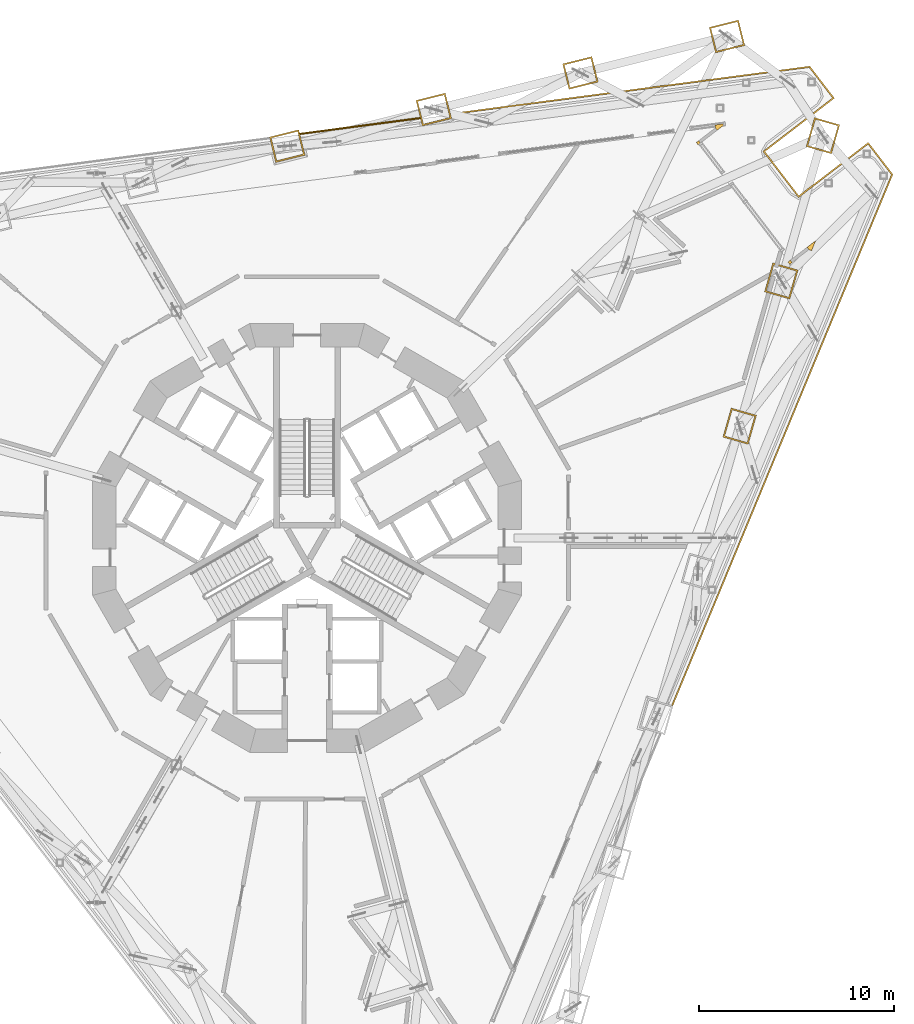
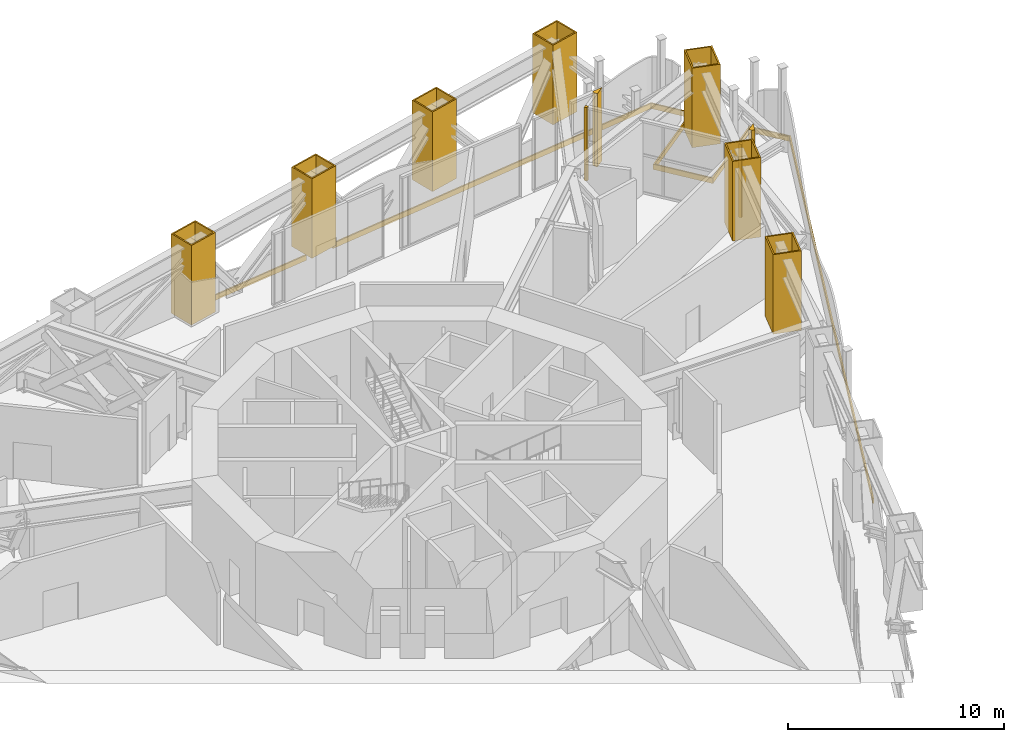
# One storey, part 31 of 31: 13 coverings.
"""IFC4 building model written with IfcOpenShell, lengths in metres."""

from ifc_helpers import new_model, si_unit, direction, frame, origin, place, context, subcontext, project, spatial, polyline, outline, extrude, material, layer, layer_set, type_object, element, save


model = new_model("IFC4")

# Units and contexts
model_context = context("Model", 3, precision=1e-05, world=origin(), true_north=direction((0.0, 1.0)))
body_context = subcontext(model_context, "Body", "Model", "MODEL_VIEW")
ifc_project = project(units=[si_unit("LENGTHUNIT", "METRE"), si_unit("AREAUNIT", "SQUARE_METRE"), si_unit("VOLUMEUNIT", "CUBIC_METRE"), si_unit("PLANEANGLEUNIT", "RADIAN"), si_unit("MASSUNIT", "GRAM", prefix="KILO")], contexts=[model_context])

# Site, building, storey
site_placement = place(None, origin())
site = spatial("IfcSite", under=ifc_project, at=site_placement, CompositionType="ELEMENT")
building_placement = place(site_placement, origin())
building = spatial("IfcBuilding", under=site, at=building_placement, Name="Trine Commons Tower", CompositionType="ELEMENT")
storey_placement = place(building_placement, frame((0.0, 0.0, 82.800048828125)))
storey = spatial("IfcBuildingStorey", under=building, at=storey_placement, Name="L20", CompositionType="ELEMENT", Elevation=82.800048828125)

# Coverings
ifc_material_1 = material(Name="Aluminium-framed insulated wall panel", Category="aluminium")
ifc_layer_1 = layer(ifc_material_1, 0.14990234375)
ifc_layer_set_1 = layer_set([ifc_layer_1], Name="Aluminium-framed insulated wall panel")
covering_type_1 = type_object("IfcCoveringType", Name="Glazing corner post, aluminium", PredefinedType="CLADDING", material=ifc_layer_set_1)
covering_1_placement = place(storey_placement, origin())
element("IfcCovering", 1, at=covering_1_placement, inside=storey, type_object=covering_type_1, Name="Glazing corner post 2-05", PredefinedType="CLADDING", context=body_context, shape_type="SweptSolid", body=[
    extrude(outline(polyline([(101.056396484375, 83.434326171875), (101.50048828125, 83.775146484375), (100.945556640625, 83.7021484375), (100.965087890625, 83.553466796875), (101.056396484375, 83.434326171875)])), origin(), (0.0, 0.0, 1.0), 4.14990234375),
])
covering_2_placement = place(storey_placement, origin())
element("IfcCovering", 2, at=covering_2_placement, inside=storey, type_object=covering_type_1, Name="Glazing corner post 2-06", PredefinedType="CLADDING", context=body_context, shape_type="SweptSolid", body=[
    extrude(outline(polyline([(100.076171875, 82.68212890625), (100.195068359375, 82.7734375), (100.103759765625, 82.892333984375), (99.98486328125, 82.801025390625), (100.076171875, 82.68212890625)])), origin(), (0.0, 0.0, 1.0), 4.14990234375),
])
covering_3_placement = place(storey_placement, origin())
element("IfcCovering", 3, at=covering_3_placement, inside=storey, type_object=covering_type_1, Name="Glazing corner post 2-07", PredefinedType="CLADDING", context=body_context, shape_type="SweptSolid", body=[
    extrude(outline(polyline([(104.6904296875, 76.66845703125), (104.78173828125, 76.549560546875), (104.90087890625, 76.640869140625), (104.8095703125, 76.759765625), (104.6904296875, 76.66845703125)])), origin(), (0.0, 0.0, 1.0), 4.14990234375),
])
covering_4_placement = place(storey_placement, origin())
element("IfcCovering", 4, at=covering_4_placement, inside=storey, type_object=covering_type_1, Name="Glazing corner post 2-08", PredefinedType="CLADDING", context=body_context, shape_type="SweptSolid", body=[
    extrude(outline(polyline([(105.90087890625, 77.244384765625), (106.114990234375, 77.761474609375), (105.6708984375, 77.4208984375), (105.76220703125, 77.3017578125), (105.90087890625, 77.244384765625)])), origin(), (0.0, 0.0, 1.0), 4.14990234375),
])
ifc_material_2 = material(Name="Limestone, honed", Category="masonry")
ifc_layer_2 = layer(ifc_material_2, 0.074951171875)
ifc_layer_set_2 = layer_set([ifc_layer_2], Name="Limestone, honed")
covering_type_2 = type_object("IfcCoveringType", Name="Limestone column cladding 75", PredefinedType="CLADDING", material=ifc_layer_set_2)
covering_5_placement = place(storey_placement, origin())
element("IfcCovering", 5, at=covering_5_placement, inside=storey, type_object=covering_type_2, Name="Limestone pier cladding 3-13", PredefinedType="CLADDING", context=body_context, shape_type="SweptSolid", body=[
    extrude(outline(polyline([(79.896484375, 82.152587890625), (79.56982421875, 83.46240234375), (78.06591796875, 83.087646484375), (78.392333984375, 81.777587890625), (79.896484375, 82.152587890625)]), holes=[polyline([(79.805419921875, 82.207275390625), (79.51513671875, 83.37158203125), (78.15673828125, 83.032958984375), (78.447021484375, 81.86865234375), (79.805419921875, 82.207275390625)])]), origin(), (0.0, 0.0, 1.0), 4.5),
])
covering_6_placement = place(storey_placement, origin())
element("IfcCovering", 6, at=covering_6_placement, inside=storey, type_object=covering_type_2, Name="Limestone pier cladding 3-14", PredefinedType="CLADDING", context=body_context, shape_type="SweptSolid", body=[
    extrude(outline(polyline([(87.423583984375, 84.029296875), (87.096923828125, 85.339111328125), (85.593017578125, 84.96435546875), (85.919677734375, 83.654296875), (87.423583984375, 84.029296875)]), holes=[polyline([(87.332763671875, 84.083984375), (87.04248046875, 85.248291015625), (85.683837890625, 84.90966796875), (85.97412109375, 83.745361328125), (87.332763671875, 84.083984375)])]), origin(), (0.0, 0.0, 1.0), 4.5),
])
covering_7_placement = place(storey_placement, origin())
element("IfcCovering", 7, at=covering_7_placement, inside=storey, type_object=covering_type_2, Name="Limestone pier cladding 3-15", PredefinedType="CLADDING", context=body_context, shape_type="SweptSolid", body=[
    extrude(outline(polyline([(94.95068359375, 85.906005859375), (94.624267578125, 87.216064453125), (93.1201171875, 86.841064453125), (93.44677734375, 85.53125), (94.95068359375, 85.906005859375)]), holes=[polyline([(94.85986328125, 85.960693359375), (94.569580078125, 87.125), (93.211181640625, 86.786376953125), (93.50146484375, 85.6220703125), (94.85986328125, 85.960693359375)])]), origin(), (0.0, 0.0, 1.0), 4.5),
])
covering_8_placement = place(storey_placement, origin())
element("IfcCovering", 8, at=covering_8_placement, inside=storey, type_object=covering_type_2, Name="Limestone pier cladding 3-16", PredefinedType="CLADDING", context=body_context, shape_type="SweptSolid", body=[
    extrude(outline(polyline([(102.47802734375, 87.78271484375), (102.1513671875, 89.0927734375), (100.6474609375, 88.7177734375), (100.97412109375, 87.407958984375), (102.47802734375, 87.78271484375)]), holes=[polyline([(102.38720703125, 87.83740234375), (102.0966796875, 89.001708984375), (100.73828125, 88.6630859375), (101.028564453125, 87.498779296875), (102.38720703125, 87.83740234375)])]), origin(), (0.0, 0.0, 1.0), 4.5),
])
covering_9_placement = place(storey_placement, origin())
element("IfcCovering", 9, at=covering_9_placement, inside=storey, type_object=covering_type_2, Name="Limestone pier cladding 3-17", PredefinedType="CLADDING", context=body_context, shape_type="SweptSolid", body=[
    extrude(outline(polyline([(107.349609375, 83.709716796875), (106.052001953125, 84.081787109375), (105.624755859375, 82.592041015625), (106.92236328125, 82.219970703125), (107.349609375, 83.709716796875)]), holes=[polyline([(107.2568359375, 83.658447265625), (106.103515625, 83.9892578125), (105.717529296875, 82.643310546875), (106.87109375, 82.3125), (107.2568359375, 83.658447265625)])]), origin(), (0.0, 0.0, 1.0), 4.5),
])
covering_10_placement = place(storey_placement, origin())
element("IfcCovering", 10, at=covering_10_placement, inside=storey, type_object=covering_type_2, Name="Limestone pier cladding 3-18", PredefinedType="CLADDING", context=body_context, shape_type="SweptSolid", body=[
    extrude(outline(polyline([(105.21142578125, 76.252685546875), (103.913818359375, 76.624755859375), (103.486328125, 75.135009765625), (104.7841796875, 74.7626953125), (105.21142578125, 76.252685546875)]), holes=[polyline([(105.11865234375, 76.201416015625), (103.965087890625, 76.531982421875), (103.5791015625, 75.186279296875), (104.732666015625, 74.85546875), (105.11865234375, 76.201416015625)])]), origin(), (0.0, 0.0, 1.0), 4.5),
])
covering_11_placement = place(storey_placement, origin())
element("IfcCovering", 11, at=covering_11_placement, inside=storey, type_object=covering_type_2, Name="Limestone pier cladding 3-19", PredefinedType="CLADDING", context=body_context, shape_type="SweptSolid", body=[
    extrude(outline(polyline([(103.072998046875, 68.795654296875), (101.775390625, 69.167724609375), (101.34814453125, 67.677734375), (102.645751953125, 67.3056640625), (103.072998046875, 68.795654296875)]), holes=[polyline([(102.980224609375, 68.744140625), (101.826904296875, 69.074951171875), (101.44091796875, 67.729248046875), (102.594482421875, 67.3984375), (102.980224609375, 68.744140625)])]), origin(), (0.0, 0.0, 1.0), 4.5),
])
ifc_layer_3 = layer(ifc_material_2, 0.074951171875)
ifc_layer_set_3 = layer_set([ifc_layer_3], Name="Limestone, honed")
covering_type_3 = type_object("IfcCoveringType", Name="Limestone spandrel panel 75", PredefinedType="CLADDING", material=ifc_layer_set_3)
covering_12_placement = place(storey_placement, frame((0.0, 0.0, -0.300048828125)))
element("IfcCovering", 12, at=covering_12_placement, inside=storey, type_object=covering_type_3, Name="Limestone spandrel panel 2-04", PredefinedType="CLADDING", context=body_context, shape_type="SweptSolid", body=[
    extrude(outline(polyline([(105.8134765625, 86.728515625), (87.3564453125, 84.298583984375), (87.374755859375, 84.22509765625), (105.780517578125, 86.6484375), (106.97607421875, 85.090087890625), (103.406005859375, 82.3505859375), (105.232177734375, 79.970703125), (108.80224609375, 82.710205078125), (109.998046875, 81.15185546875), (98.712158203125, 53.905517578125), (98.78466796875, 53.884765625), (110.083740234375, 81.1630859375), (108.816162109375, 82.815185546875), (105.24609375, 80.07568359375), (103.510986328125, 82.3369140625), (107.081298828125, 85.076416015625), (105.8134765625, 86.728515625)])), origin(), (0.0, 0.0, 1.0), 0.300048828125),
])
covering_13_placement = place(storey_placement, frame((0.0, 0.0, -0.300048828125)))
element("IfcCovering", 13, at=covering_13_placement, inside=storey, type_object=covering_type_3, Name="Limestone spandrel panel 2-05", PredefinedType="CLADDING", context=body_context, shape_type="SweptSolid", body=[
    extrude(outline(polyline([(85.809814453125, 84.0947265625), (79.615478515625, 83.279296875), (79.6337890625, 83.2060546875), (85.828125, 84.021484375), (85.809814453125, 84.0947265625)])), origin(), (0.0, 0.0, 1.0), 0.300048828125),
])

save(model, "model.ifc")
